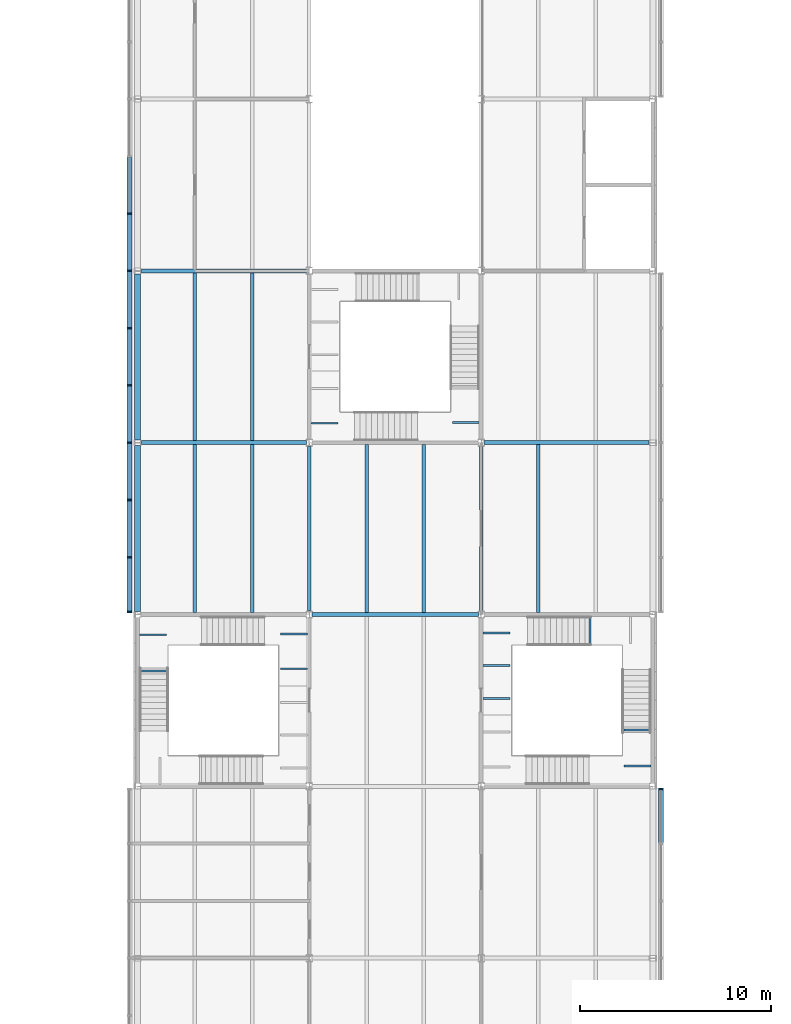
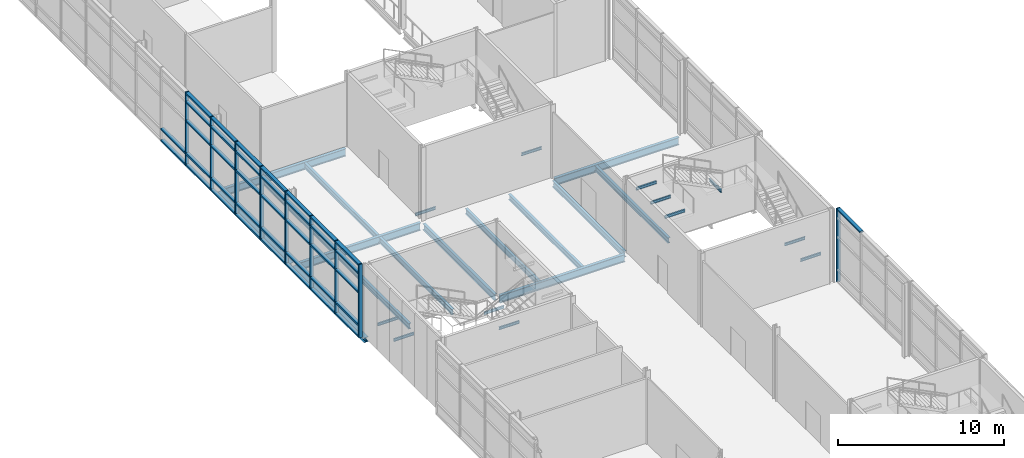
# One storey, part 11 of 53: 47 members, 27 beams, 2 elements without a shape of their own.
"""IFC4 building model written with IfcOpenShell, lengths in metres."""

from ifc_helpers import new_model, si_unit, direction, frame, origin, origin_2d, place, context, subcontext, project, spatial, rectangle, i_section, extrude, material, material_profile, profile_set, type_object, element, aggregate, save


model = new_model("IFC4")

# Units and contexts
model_context = context("Model", 3, precision=1e-05, world=origin(), true_north=direction((0.0, 1.0)))
body_context = subcontext(model_context, "Body", "Model", "MODEL_VIEW")
ifc_project = project(units=[si_unit("LENGTHUNIT", "METRE"), si_unit("AREAUNIT", "SQUARE_METRE"), si_unit("VOLUMEUNIT", "CUBIC_METRE"), si_unit("PLANEANGLEUNIT", "RADIAN"), si_unit("MASSUNIT", "GRAM", prefix="KILO")], contexts=[model_context])

# Site, building, storey
site_placement = place(None, origin())
site = spatial("IfcSite", under=ifc_project, at=site_placement, CompositionType="ELEMENT")
building_placement = place(site_placement, origin())
building = spatial("IfcBuilding", under=site, at=building_placement, Name="Azimuth Sports and Learning Centre", CompositionType="ELEMENT")
storey_placement = place(building_placement, frame((0.0, 0.0, 10.800048828125)))
storey = spatial("IfcBuildingStorey", under=building, at=storey_placement, Name="L02", CompositionType="ELEMENT", Elevation=10.800048828125)

# Beams
ifc_material_1 = material(Name="Steel S355", Category="steel")
ifc_material_profile_1 = material_profile(ifc_material_1, i_section(OverallWidth=0.10009765625, OverallDepth=0.199951171875, WebThickness=0.005615234375, FlangeThickness=0.008544921875, FilletRadius=0.011962890625, at=origin_2d()), Name="IPE 200")
ifc_profile_set_1 = profile_set([ifc_material_profile_1], Name="Steel S355")
beam_type_1 = type_object("IfcBeamType", Name="Beam IPE 200", PredefinedType="BEAM", material=ifc_profile_set_1)
for number, where, z_axis, x_axis, name in (
    (1, (80.89990234375, 33.159912109375, -0.300048828125), (-1.0, 0.0, 0.0), (0.0, -1.0, 0.0), "Landing bracket ST3 L02 1075"),
    (2, (80.89990234375, 34.97998046875, -0.300048828125), (-1.0, 0.0, 0.0), (0.0, -1.0, 0.0), "Landing bracket ST3 L02 1076"),
    (3, (72.10009765625, 33.0400390625, 1.5), (1.0, 0.0, 0.0), (0.0, 1.0, 0.0), "Landing bracket ST3 L02 1077"),
    (4, (72.10009765625, 34.93994140625, 1.5), (1.0, 0.0, 0.0), (0.0, 1.0, 0.0), "Landing bracket ST3 L02 1078"),
    (5, (98.89990234375, 28.06005859375, 1.5), (-1.0, 0.0, 0.0), (0.0, -1.0, 0.0), "Landing bracket ST4 L02 1111"),
    (6, (98.89990234375, 29.9599609375, 1.5), (-1.0, 0.0, 0.0), (0.0, -1.0, 0.0), "Landing bracket ST4 L02 1112"),
    (7, (95.702392578125, 35.89990234375, 3.300048828125), (0.0, -1.0, 0.0), (1.0, 0.0, 0.0), "Landing bracket ST4 L02 1113"),
    (8, (90.10009765625, 31.606689453125, 5.099853515625), (1.0, 0.0, 0.0), (0.0, 1.0, 0.0), "Landing bracket ST4 L02 1115"),
    (9, (90.10009765625, 33.320068359375, 5.099853515625), (1.0, 0.0, 0.0), (0.0, 1.0, 0.0), "Landing bracket ST4 L02 1116"),
    (10, (90.10009765625, 35.033447265625, 5.099853515625), (1.0, 0.0, 0.0), (0.0, 1.0, 0.0), "Landing bracket ST4 L02 1117"),
    (11, (81.10009765625, 46.02001953125, -0.300048828125), (1.0, 0.0, 0.0), (0.0, 1.0, 0.0), "Landing bracket STC L02 1143"),
    (12, (89.89990234375, 46.06005859375, 1.5), (-1.0, 0.0, 0.0), (0.0, -1.0, 0.0), "Landing bracket STC L02 1145"),
):
    element("IfcBeam", number, at=place(storey_placement, frame(where, z_axis=z_axis, x_axis=x_axis)), inside=storey, type_object=beam_type_1, Name=name, PredefinedType="BEAM", context=body_context, shape_type="SweptSolid", body=[
        extrude(i_section(OverallWidth=0.10009765625, OverallDepth=0.199951171875, WebThickness=0.005615234375, FlangeThickness=0.008544921875, FilletRadius=0.011962890625, at=origin_2d()), origin(), (0.0, 0.0, 1.0), 1.409912109375),
    ])
ifc_material_2 = material(Name="Steel S355", Category="steel")
ifc_material_profile_2 = material_profile(ifc_material_2, i_section(OverallWidth=0.18994140625, OverallDepth=0.449951171875, WebThickness=0.009521484375, FlangeThickness=0.0146484375, FilletRadius=0.02099609375, at=origin_2d()), Name="IPE 450")
ifc_profile_set_2 = profile_set([ifc_material_profile_2], Name="Steel S355")
beam_type_2 = type_object("IfcBeamType", Name="Beam IPE 450", PredefinedType="BEAM", material=ifc_profile_set_2)
for number, where, z_axis, x_axis, name in (
    (13, (81.0, 36.199951171875, -0.375), (0.0, 1.0, 0.0), (-1.0, 0.0, 0.0), "Beam L02 ST 31"),
    (14, (90.0, 36.199951171875, -0.375), (0.0, 1.0, 0.0), (-1.0, 0.0, 0.0), "Beam L02 ST 37"),
):
    element("IfcBeam", number, at=place(storey_placement, frame(where, z_axis=z_axis, x_axis=x_axis)), inside=storey, type_object=beam_type_2, Name=name, PredefinedType="BEAM", context=body_context, shape_type="SweptSolid", body=[
        extrude(i_section(OverallWidth=0.18994140625, OverallDepth=0.449951171875, WebThickness=0.009521484375, FlangeThickness=0.0146484375, FilletRadius=0.02099609375, at=origin_2d()), origin(), (0.0, 0.0, 1.0), 8.60009765625),
    ])
ifc_material_3 = material(Name="Steel S355", Category="steel")
ifc_material_profile_3 = material_profile(ifc_material_3, i_section(OverallWidth=0.2099609375, OverallDepth=0.550048828125, WebThickness=0.010986328125, FlangeThickness=0.01708984375, FilletRadius=0.02392578125, at=origin_2d()), Name="IPE 550")
ifc_profile_set_3 = profile_set([ifc_material_profile_3], Name="Steel S355")
beam_type_3 = type_object("IfcBeamType", Name="Beam IPE 550", PredefinedType="BEAM", material=ifc_profile_set_3)
beam_1_placement = place(storey_placement, frame((81.14990234375, 36.0, -0.425048828125), z_axis=(1.0, 0.0, 0.0), x_axis=(0.0, 1.0, 0.0)))
element("IfcBeam", 15, at=beam_1_placement, inside=storey, type_object=beam_type_3, Name="Beam L02 ST 7", PredefinedType="BEAM", context=body_context, shape_type="SweptSolid", body=[
    extrude(i_section(OverallWidth=0.2099609375, OverallDepth=0.550048828125, WebThickness=0.010986328125, FlangeThickness=0.01708984375, FilletRadius=0.02392578125, at=origin_2d()), origin(), (0.0, 0.0, 1.0), 8.7001953125),
])
for number, where, z_axis, x_axis, name in (
    (16, (72.199951171875, 45.0, -0.425048828125), (1.0, 0.0, 0.0), (0.0, 1.0, 0.0), "Beam L02 ST 8"),
    (17, (90.14990234375, 45.0, -0.425048828125), (1.0, 0.0, 0.0), (0.0, 1.0, 0.0), "Beam L02 ST 9"),
    (18, (72.199951171875, 54.0, -0.425048828125), (1.0, 0.0, 0.0), (0.0, 1.0, 0.0), "Beam L02 ST 10"),
):
    element("IfcBeam", number, at=place(storey_placement, frame(where, z_axis=z_axis, x_axis=x_axis)), inside=storey, type_object=beam_type_3, Name=name, PredefinedType="BEAM", context=body_context, shape_type="SweptSolid", body=[
        extrude(i_section(OverallWidth=0.2099609375, OverallDepth=0.550048828125, WebThickness=0.010986328125, FlangeThickness=0.01708984375, FilletRadius=0.02392578125, at=origin_2d()), origin(), (0.0, 0.0, 1.0), 8.650146484375),
    ])
ifc_material_4 = material(Name="Steel S355", Category="steel")
ifc_material_profile_4 = material_profile(ifc_material_4, i_section(OverallWidth=0.300048828125, OverallDepth=0.35009765625, WebThickness=0.010009765625, FlangeThickness=0.017578125, FilletRadius=0.027099609375, at=origin_2d()), Name="HEA 360")
ifc_profile_set_4 = profile_set([ifc_material_profile_4], Name="Steel S355")
beam_type_4 = type_object("IfcBeamType", Name="Edge beam HEA 360", PredefinedType="SPANDREL", material=ifc_profile_set_4)
for number, where, z_axis, x_axis, name in (
    (19, (72.0, 36.14990234375, -0.324951171875), (0.0, 1.0, 0.0), (-1.0, 0.0, 0.0), "Edge beam L02 ST 23"),
    (20, (72.0, 45.14990234375, -0.324951171875), (0.0, 1.0, 0.0), (-1.0, 0.0, 0.0), "Edge beam L02 ST 24"),
):
    element("IfcBeam", number, at=place(storey_placement, frame(where, z_axis=z_axis, x_axis=x_axis)), inside=storey, type_object=beam_type_4, Name=name, PredefinedType="SPANDREL", context=body_context, shape_type="SweptSolid", body=[
        extrude(i_section(OverallWidth=0.300048828125, OverallDepth=0.35009765625, WebThickness=0.010009765625, FlangeThickness=0.017578125, FilletRadius=0.027099609375, at=origin_2d()), origin(), (0.0, 0.0, 1.0), 8.7001953125),
    ])
ifc_material_5 = material(Name="Steel S355", Category="steel")
ifc_material_profile_5 = material_profile(ifc_material_5, i_section(OverallWidth=0.179931640625, OverallDepth=0.39990234375, WebThickness=0.008544921875, FlangeThickness=0.013427734375, FilletRadius=0.02099609375, at=origin_2d()), Name="IPE 400")
ifc_profile_set_5 = profile_set([ifc_material_profile_5], Name="Steel S355")
beam_type_5 = type_object("IfcBeamType", Name="Joist IPE 400", PredefinedType="JOIST", material=ifc_profile_set_5)
beam_2_placement = place(storey_placement, frame((75.0, 36.10009765625, -0.35009765625), z_axis=(0.0, 1.0, 0.0), x_axis=(-1.0, 0.0, 0.0)))
element("IfcBeam", 21, at=beam_2_placement, inside=storey, type_object=beam_type_5, Name="Joist L02 ST 50", PredefinedType="JOIST", context=body_context, shape_type="SweptSolid", body=[
    extrude(i_section(OverallWidth=0.179931640625, OverallDepth=0.39990234375, WebThickness=0.008544921875, FlangeThickness=0.013427734375, FilletRadius=0.02099609375, at=origin_2d()), origin(), (0.0, 0.0, 1.0), 8.794921875),
])
beam_3_placement = place(storey_placement, frame((75.0, 45.10498046875, -0.35009765625), z_axis=(0.0, 1.0, 0.0), x_axis=(-1.0, 0.0, 0.0)))
element("IfcBeam", 22, at=beam_3_placement, inside=storey, type_object=beam_type_5, Name="Joist L02 ST 51", PredefinedType="JOIST", context=body_context, shape_type="SweptSolid", body=[
    extrude(i_section(OverallWidth=0.179931640625, OverallDepth=0.39990234375, WebThickness=0.008544921875, FlangeThickness=0.013427734375, FilletRadius=0.02099609375, at=origin_2d()), origin(), (0.0, 0.0, 1.0), 8.7900390625),
])
beam_4_placement = place(storey_placement, frame((78.0, 36.10009765625, -0.35009765625), z_axis=(0.0, 1.0, 0.0), x_axis=(-1.0, 0.0, 0.0)))
element("IfcBeam", 23, at=beam_4_placement, inside=storey, type_object=beam_type_5, Name="Joist L02 ST 58", PredefinedType="JOIST", context=body_context, shape_type="SweptSolid", body=[
    extrude(i_section(OverallWidth=0.179931640625, OverallDepth=0.39990234375, WebThickness=0.008544921875, FlangeThickness=0.013427734375, FilletRadius=0.02099609375, at=origin_2d()), origin(), (0.0, 0.0, 1.0), 8.794921875),
])
beam_5_placement = place(storey_placement, frame((78.0, 45.10498046875, -0.35009765625), z_axis=(0.0, 1.0, 0.0), x_axis=(-1.0, 0.0, 0.0)))
element("IfcBeam", 24, at=beam_5_placement, inside=storey, type_object=beam_type_5, Name="Joist L02 ST 59", PredefinedType="JOIST", context=body_context, shape_type="SweptSolid", body=[
    extrude(i_section(OverallWidth=0.179931640625, OverallDepth=0.39990234375, WebThickness=0.008544921875, FlangeThickness=0.013427734375, FilletRadius=0.02099609375, at=origin_2d()), origin(), (0.0, 0.0, 1.0), 8.7900390625),
])
for number, where, z_axis, x_axis, name in (
    (25, (84.0, 36.10498046875, -0.35009765625), (0.0, 1.0, 0.0), (-1.0, 0.0, 0.0), "Joist L02 ST 68"),
    (26, (87.0, 36.10498046875, -0.35009765625), (0.0, 1.0, 0.0), (-1.0, 0.0, 0.0), "Joist L02 ST 74"),
    (27, (93.0, 36.10009765625, -0.35009765625), (0.0, 1.0, 0.0), (-1.0, 0.0, 0.0), "Joist L02 ST 78"),
):
    element("IfcBeam", number, at=place(storey_placement, frame(where, z_axis=z_axis, x_axis=x_axis)), inside=storey, type_object=beam_type_5, Name=name, PredefinedType="JOIST", context=body_context, shape_type="SweptSolid", body=[
        extrude(i_section(OverallWidth=0.179931640625, OverallDepth=0.39990234375, WebThickness=0.008544921875, FlangeThickness=0.013427734375, FilletRadius=0.02099609375, at=origin_2d()), origin(), (0.0, 0.0, 1.0), 8.794921875),
    ])

# Curtain wall, members
ifc_material_6 = material(Name="Aluminium and glass", Category="aluminium")
curtain_wall_type = type_object("IfcCurtainWallType", Name="Curtain wall podium stem 240", PredefinedType="NOTDEFINED", material=ifc_material_6)
curtain_wall_1_placement = place(storey_placement, origin())
curtain_wall_1 = element("IfcCurtainWall", 28, at=curtain_wall_1_placement, inside=storey, type_object=curtain_wall_type, Name="Curtain wall CW02-003", PredefinedType="NOTDEFINED")
ifc_material_7 = material(Name="Aluminium", Category="aluminium")
ifc_material_profile_6 = material_profile(ifc_material_7, rectangle(XDim=0.239990234375, YDim=0.080078125, at=origin_2d()), Name="Mullion 80x240")
ifc_profile_set_6 = profile_set([ifc_material_profile_6], Name="Aluminium")
member_type_1 = type_object("IfcMemberType", Name="Mullion 80x240", PredefinedType="MULLION", material=ifc_profile_set_6)
member_1_placement = place(storey_placement, frame((71.580078125, 57.0, 0.0), z_axis=(0.0, 0.0, 1.0), x_axis=(1.0, 0.0, 0.0)))
member_1 = element("IfcMember", 29, at=member_1_placement, type_object=member_type_1, Name="CW02-003 mullion 12", PredefinedType="MULLION", context=body_context, shape_type="SweptSolid", body=[
    extrude(rectangle(XDim=0.239990234375, YDim=0.080078125, at=origin_2d()), origin(), (0.0, 0.0, 1.0), 5.39990234375),
])
member_2_placement = place(storey_placement, frame((71.580078125, 54.0, 0.0), z_axis=(0.0, 0.0, 1.0), x_axis=(1.0, 0.0, 0.0)))
member_2 = element("IfcMember", 30, at=member_2_placement, type_object=member_type_1, Name="CW02-003 mullion 13", PredefinedType="MULLION", context=body_context, shape_type="SweptSolid", body=[
    extrude(rectangle(XDim=0.239990234375, YDim=0.080078125, at=origin_2d()), origin(), (0.0, 0.0, 1.0), 5.39990234375),
])
member_3_placement = place(storey_placement, frame((71.580078125, 51.0, 0.0), z_axis=(0.0, 0.0, 1.0), x_axis=(1.0, 0.0, 0.0)))
member_3 = element("IfcMember", 31, at=member_3_placement, type_object=member_type_1, Name="CW02-003 mullion 14", PredefinedType="MULLION", context=body_context, shape_type="SweptSolid", body=[
    extrude(rectangle(XDim=0.239990234375, YDim=0.080078125, at=origin_2d()), origin(), (0.0, 0.0, 1.0), 5.39990234375),
])
member_4_placement = place(storey_placement, frame((71.580078125, 48.0, 0.0), z_axis=(0.0, 0.0, 1.0), x_axis=(1.0, 0.0, 0.0)))
member_4 = element("IfcMember", 32, at=member_4_placement, type_object=member_type_1, Name="CW02-003 mullion 15", PredefinedType="MULLION", context=body_context, shape_type="SweptSolid", body=[
    extrude(rectangle(XDim=0.239990234375, YDim=0.080078125, at=origin_2d()), origin(), (0.0, 0.0, 1.0), 5.39990234375),
])
member_5_placement = place(storey_placement, frame((71.580078125, 45.0, 0.0), z_axis=(0.0, 0.0, 1.0), x_axis=(1.0, 0.0, 0.0)))
member_5 = element("IfcMember", 33, at=member_5_placement, type_object=member_type_1, Name="CW02-003 mullion 16", PredefinedType="MULLION", context=body_context, shape_type="SweptSolid", body=[
    extrude(rectangle(XDim=0.239990234375, YDim=0.080078125, at=origin_2d()), origin(), (0.0, 0.0, 1.0), 5.39990234375),
])
member_6_placement = place(storey_placement, frame((71.580078125, 42.0, 0.0), z_axis=(0.0, 0.0, 1.0), x_axis=(1.0, 0.0, 0.0)))
member_6 = element("IfcMember", 34, at=member_6_placement, type_object=member_type_1, Name="CW02-003 mullion 17", PredefinedType="MULLION", context=body_context, shape_type="SweptSolid", body=[
    extrude(rectangle(XDim=0.239990234375, YDim=0.080078125, at=origin_2d()), origin(), (0.0, 0.0, 1.0), 5.39990234375),
])
member_7_placement = place(storey_placement, frame((71.580078125, 39.0, 0.0), z_axis=(0.0, 0.0, 1.0), x_axis=(1.0, 0.0, 0.0)))
member_7 = element("IfcMember", 35, at=member_7_placement, type_object=member_type_1, Name="CW02-003 mullion 18", PredefinedType="MULLION", context=body_context, shape_type="SweptSolid", body=[
    extrude(rectangle(XDim=0.239990234375, YDim=0.080078125, at=origin_2d()), origin(), (0.0, 0.0, 1.0), 5.39990234375),
])
member_8_placement = place(storey_placement, frame((71.580078125, 36.139892578125, 0.0), z_axis=(0.0, 0.0, 1.0), x_axis=(1.0, 0.0, 0.0)))
member_8 = element("IfcMember", 36, at=member_8_placement, type_object=member_type_1, Name="CW02-003 mullion 19", PredefinedType="MULLION", context=body_context, shape_type="SweptSolid", body=[
    extrude(rectangle(XDim=0.239990234375, YDim=0.080078125, at=origin_2d()), origin(), (0.0, 0.0, 1.0), 5.39990234375),
])

# Curtain wall, member
curtain_wall_2_placement = place(storey_placement, origin())
curtain_wall_2 = element("IfcCurtainWall", 37, at=curtain_wall_2_placement, inside=storey, type_object=curtain_wall_type, Name="Curtain wall CW02-006", PredefinedType="NOTDEFINED")
member_9_placement = place(storey_placement, frame((99.419921875, 26.860107421875, 0.0), z_axis=(0.0, 0.0, 1.0), x_axis=(-1.0, 0.0, 0.0)))
member_9 = element("IfcMember", 38, at=member_9_placement, type_object=member_type_1, Name="CW02-006 mullion 7", PredefinedType="MULLION", context=body_context, shape_type="SweptSolid", body=[
    extrude(rectangle(XDim=0.239990234375, YDim=0.080078125, at=origin_2d()), origin(), (0.0, 0.0, 1.0), 5.39990234375),
])

# Member
ifc_material_8 = material(Name="Aluminium", Category="aluminium")
ifc_material_profile_7 = material_profile(ifc_material_8, rectangle(XDim=0.239990234375, YDim=0.1201171875, at=origin_2d()), Name="Transom 120x240")
ifc_profile_set_7 = profile_set([ifc_material_profile_7], Name="Aluminium")
member_type_2 = type_object("IfcMemberType", Name="Transom 120x240", PredefinedType="USERDEFINED", material=ifc_profile_set_7)
member_10_placement = place(storey_placement, frame((71.580078125, 59.9599609375, 0.06005859375), z_axis=(0.0, -1.0, 0.0), x_axis=(1.0, 0.0, 0.0)))
member_10 = element("IfcMember", 39, at=member_10_placement, type_object=member_type_2, Name="CW02-003 transom 11.1", ObjectType="TRANSOM", PredefinedType="USERDEFINED", context=body_context, shape_type="SweptSolid", body=[
    extrude(rectangle(XDim=0.239990234375, YDim=0.1201171875, at=origin_2d()), origin(), (0.0, 0.0, 1.0), 2.919921875),
])

member_11_placement = place(storey_placement, frame((71.580078125, 59.9599609375, 0.89990234375), z_axis=(0.0, -1.0, 0.0), x_axis=(1.0, 0.0, 0.0)))
member_11 = element("IfcMember", 40, at=member_11_placement, type_object=member_type_2, Name="CW02-003 transom 11.2", ObjectType="TRANSOM", PredefinedType="USERDEFINED", context=body_context, shape_type="SweptSolid", body=[
    extrude(rectangle(XDim=0.239990234375, YDim=0.1201171875, at=origin_2d()), origin(), (0.0, 0.0, 1.0), 2.919921875),
])

member_12_placement = place(storey_placement, frame((71.580078125, 56.9599609375, 0.06005859375), z_axis=(0.0, -1.0, 0.0), x_axis=(1.0, 0.0, 0.0)))
member_12 = element("IfcMember", 41, at=member_12_placement, type_object=member_type_2, Name="CW02-003 transom 12.1", ObjectType="TRANSOM", PredefinedType="USERDEFINED", context=body_context, shape_type="SweptSolid", body=[
    extrude(rectangle(XDim=0.239990234375, YDim=0.1201171875, at=origin_2d()), origin(), (0.0, 0.0, 1.0), 2.919921875),
])

member_13_placement = place(storey_placement, frame((71.580078125, 56.9599609375, 0.89990234375), z_axis=(0.0, -1.0, 0.0), x_axis=(1.0, 0.0, 0.0)))
member_13 = element("IfcMember", 42, at=member_13_placement, type_object=member_type_2, Name="CW02-003 transom 12.2", ObjectType="TRANSOM", PredefinedType="USERDEFINED", context=body_context, shape_type="SweptSolid", body=[
    extrude(rectangle(XDim=0.239990234375, YDim=0.1201171875, at=origin_2d()), origin(), (0.0, 0.0, 1.0), 2.919921875),
])

member_14_placement = place(storey_placement, frame((71.580078125, 56.9599609375, 3.300048828125), z_axis=(0.0, -1.0, 0.0), x_axis=(1.0, 0.0, 0.0)))
member_14 = element("IfcMember", 43, at=member_14_placement, type_object=member_type_2, Name="CW02-003 transom 12.3", ObjectType="TRANSOM", PredefinedType="USERDEFINED", context=body_context, shape_type="SweptSolid", body=[
    extrude(rectangle(XDim=0.239990234375, YDim=0.1201171875, at=origin_2d()), origin(), (0.0, 0.0, 1.0), 2.919921875),
])

member_15_placement = place(storey_placement, frame((71.580078125, 56.9599609375, 4.699951171875), z_axis=(0.0, -1.0, 0.0), x_axis=(1.0, 0.0, 0.0)))
member_15 = element("IfcMember", 44, at=member_15_placement, type_object=member_type_2, Name="CW02-003 transom 12.4", ObjectType="TRANSOM", PredefinedType="USERDEFINED", context=body_context, shape_type="SweptSolid", body=[
    extrude(rectangle(XDim=0.239990234375, YDim=0.1201171875, at=origin_2d()), origin(), (0.0, 0.0, 1.0), 2.919921875),
])

member_16_placement = place(storey_placement, frame((71.580078125, 56.9599609375, 5.33984375), z_axis=(0.0, -1.0, 0.0), x_axis=(1.0, 0.0, 0.0)))
member_16 = element("IfcMember", 45, at=member_16_placement, type_object=member_type_2, Name="CW02-003 transom 12.5", ObjectType="TRANSOM", PredefinedType="USERDEFINED", context=body_context, shape_type="SweptSolid", body=[
    extrude(rectangle(XDim=0.239990234375, YDim=0.1201171875, at=origin_2d()), origin(), (0.0, 0.0, 1.0), 2.919921875),
])

member_17_placement = place(storey_placement, frame((71.580078125, 53.9599609375, 0.06005859375), z_axis=(0.0, -1.0, 0.0), x_axis=(1.0, 0.0, 0.0)))
member_17 = element("IfcMember", 46, at=member_17_placement, type_object=member_type_2, Name="CW02-003 transom 13.1", ObjectType="TRANSOM", PredefinedType="USERDEFINED", context=body_context, shape_type="SweptSolid", body=[
    extrude(rectangle(XDim=0.239990234375, YDim=0.1201171875, at=origin_2d()), origin(), (0.0, 0.0, 1.0), 2.919921875),
])

member_18_placement = place(storey_placement, frame((71.580078125, 53.9599609375, 0.89990234375), z_axis=(0.0, -1.0, 0.0), x_axis=(1.0, 0.0, 0.0)))
member_18 = element("IfcMember", 47, at=member_18_placement, type_object=member_type_2, Name="CW02-003 transom 13.2", ObjectType="TRANSOM", PredefinedType="USERDEFINED", context=body_context, shape_type="SweptSolid", body=[
    extrude(rectangle(XDim=0.239990234375, YDim=0.1201171875, at=origin_2d()), origin(), (0.0, 0.0, 1.0), 2.919921875),
])

member_19_placement = place(storey_placement, frame((71.580078125, 53.9599609375, 3.300048828125), z_axis=(0.0, -1.0, 0.0), x_axis=(1.0, 0.0, 0.0)))
member_19 = element("IfcMember", 48, at=member_19_placement, type_object=member_type_2, Name="CW02-003 transom 13.3", ObjectType="TRANSOM", PredefinedType="USERDEFINED", context=body_context, shape_type="SweptSolid", body=[
    extrude(rectangle(XDim=0.239990234375, YDim=0.1201171875, at=origin_2d()), origin(), (0.0, 0.0, 1.0), 2.919921875),
])

member_20_placement = place(storey_placement, frame((71.580078125, 53.9599609375, 4.699951171875), z_axis=(0.0, -1.0, 0.0), x_axis=(1.0, 0.0, 0.0)))
member_20 = element("IfcMember", 49, at=member_20_placement, type_object=member_type_2, Name="CW02-003 transom 13.4", ObjectType="TRANSOM", PredefinedType="USERDEFINED", context=body_context, shape_type="SweptSolid", body=[
    extrude(rectangle(XDim=0.239990234375, YDim=0.1201171875, at=origin_2d()), origin(), (0.0, 0.0, 1.0), 2.919921875),
])

member_21_placement = place(storey_placement, frame((71.580078125, 53.9599609375, 5.33984375), z_axis=(0.0, -1.0, 0.0), x_axis=(1.0, 0.0, 0.0)))
member_21 = element("IfcMember", 50, at=member_21_placement, type_object=member_type_2, Name="CW02-003 transom 13.5", ObjectType="TRANSOM", PredefinedType="USERDEFINED", context=body_context, shape_type="SweptSolid", body=[
    extrude(rectangle(XDim=0.239990234375, YDim=0.1201171875, at=origin_2d()), origin(), (0.0, 0.0, 1.0), 2.919921875),
])

member_22_placement = place(storey_placement, frame((71.580078125, 50.9599609375, 0.06005859375), z_axis=(0.0, -1.0, 0.0), x_axis=(1.0, 0.0, 0.0)))
member_22 = element("IfcMember", 51, at=member_22_placement, type_object=member_type_2, Name="CW02-003 transom 14.1", ObjectType="TRANSOM", PredefinedType="USERDEFINED", context=body_context, shape_type="SweptSolid", body=[
    extrude(rectangle(XDim=0.239990234375, YDim=0.1201171875, at=origin_2d()), origin(), (0.0, 0.0, 1.0), 2.919921875),
])

member_23_placement = place(storey_placement, frame((71.580078125, 50.9599609375, 0.89990234375), z_axis=(0.0, -1.0, 0.0), x_axis=(1.0, 0.0, 0.0)))
member_23 = element("IfcMember", 52, at=member_23_placement, type_object=member_type_2, Name="CW02-003 transom 14.2", ObjectType="TRANSOM", PredefinedType="USERDEFINED", context=body_context, shape_type="SweptSolid", body=[
    extrude(rectangle(XDim=0.239990234375, YDim=0.1201171875, at=origin_2d()), origin(), (0.0, 0.0, 1.0), 2.919921875),
])

member_24_placement = place(storey_placement, frame((71.580078125, 50.9599609375, 3.300048828125), z_axis=(0.0, -1.0, 0.0), x_axis=(1.0, 0.0, 0.0)))
member_24 = element("IfcMember", 53, at=member_24_placement, type_object=member_type_2, Name="CW02-003 transom 14.3", ObjectType="TRANSOM", PredefinedType="USERDEFINED", context=body_context, shape_type="SweptSolid", body=[
    extrude(rectangle(XDim=0.239990234375, YDim=0.1201171875, at=origin_2d()), origin(), (0.0, 0.0, 1.0), 2.919921875),
])

member_25_placement = place(storey_placement, frame((71.580078125, 50.9599609375, 4.699951171875), z_axis=(0.0, -1.0, 0.0), x_axis=(1.0, 0.0, 0.0)))
member_25 = element("IfcMember", 54, at=member_25_placement, type_object=member_type_2, Name="CW02-003 transom 14.4", ObjectType="TRANSOM", PredefinedType="USERDEFINED", context=body_context, shape_type="SweptSolid", body=[
    extrude(rectangle(XDim=0.239990234375, YDim=0.1201171875, at=origin_2d()), origin(), (0.0, 0.0, 1.0), 2.919921875),
])

member_26_placement = place(storey_placement, frame((71.580078125, 50.9599609375, 5.33984375), z_axis=(0.0, -1.0, 0.0), x_axis=(1.0, 0.0, 0.0)))
member_26 = element("IfcMember", 55, at=member_26_placement, type_object=member_type_2, Name="CW02-003 transom 14.5", ObjectType="TRANSOM", PredefinedType="USERDEFINED", context=body_context, shape_type="SweptSolid", body=[
    extrude(rectangle(XDim=0.239990234375, YDim=0.1201171875, at=origin_2d()), origin(), (0.0, 0.0, 1.0), 2.919921875),
])

member_27_placement = place(storey_placement, frame((71.580078125, 47.9599609375, 0.06005859375), z_axis=(0.0, -1.0, 0.0), x_axis=(1.0, 0.0, 0.0)))
member_27 = element("IfcMember", 56, at=member_27_placement, type_object=member_type_2, Name="CW02-003 transom 15.1", ObjectType="TRANSOM", PredefinedType="USERDEFINED", context=body_context, shape_type="SweptSolid", body=[
    extrude(rectangle(XDim=0.239990234375, YDim=0.1201171875, at=origin_2d()), origin(), (0.0, 0.0, 1.0), 2.919921875),
])

member_28_placement = place(storey_placement, frame((71.580078125, 47.9599609375, 0.89990234375), z_axis=(0.0, -1.0, 0.0), x_axis=(1.0, 0.0, 0.0)))
member_28 = element("IfcMember", 57, at=member_28_placement, type_object=member_type_2, Name="CW02-003 transom 15.2", ObjectType="TRANSOM", PredefinedType="USERDEFINED", context=body_context, shape_type="SweptSolid", body=[
    extrude(rectangle(XDim=0.239990234375, YDim=0.1201171875, at=origin_2d()), origin(), (0.0, 0.0, 1.0), 2.919921875),
])

member_29_placement = place(storey_placement, frame((71.580078125, 47.9599609375, 3.300048828125), z_axis=(0.0, -1.0, 0.0), x_axis=(1.0, 0.0, 0.0)))
member_29 = element("IfcMember", 58, at=member_29_placement, type_object=member_type_2, Name="CW02-003 transom 15.3", ObjectType="TRANSOM", PredefinedType="USERDEFINED", context=body_context, shape_type="SweptSolid", body=[
    extrude(rectangle(XDim=0.239990234375, YDim=0.1201171875, at=origin_2d()), origin(), (0.0, 0.0, 1.0), 2.919921875),
])

member_30_placement = place(storey_placement, frame((71.580078125, 47.9599609375, 4.699951171875), z_axis=(0.0, -1.0, 0.0), x_axis=(1.0, 0.0, 0.0)))
member_30 = element("IfcMember", 59, at=member_30_placement, type_object=member_type_2, Name="CW02-003 transom 15.4", ObjectType="TRANSOM", PredefinedType="USERDEFINED", context=body_context, shape_type="SweptSolid", body=[
    extrude(rectangle(XDim=0.239990234375, YDim=0.1201171875, at=origin_2d()), origin(), (0.0, 0.0, 1.0), 2.919921875),
])

member_31_placement = place(storey_placement, frame((71.580078125, 47.9599609375, 5.33984375), z_axis=(0.0, -1.0, 0.0), x_axis=(1.0, 0.0, 0.0)))
member_31 = element("IfcMember", 60, at=member_31_placement, type_object=member_type_2, Name="CW02-003 transom 15.5", ObjectType="TRANSOM", PredefinedType="USERDEFINED", context=body_context, shape_type="SweptSolid", body=[
    extrude(rectangle(XDim=0.239990234375, YDim=0.1201171875, at=origin_2d()), origin(), (0.0, 0.0, 1.0), 2.919921875),
])

member_32_placement = place(storey_placement, frame((71.580078125, 44.9599609375, 0.06005859375), z_axis=(0.0, -1.0, 0.0), x_axis=(1.0, 0.0, 0.0)))
member_32 = element("IfcMember", 61, at=member_32_placement, type_object=member_type_2, Name="CW02-003 transom 16.1", ObjectType="TRANSOM", PredefinedType="USERDEFINED", context=body_context, shape_type="SweptSolid", body=[
    extrude(rectangle(XDim=0.239990234375, YDim=0.1201171875, at=origin_2d()), origin(), (0.0, 0.0, 1.0), 2.919921875),
])

member_33_placement = place(storey_placement, frame((71.580078125, 44.9599609375, 0.89990234375), z_axis=(0.0, -1.0, 0.0), x_axis=(1.0, 0.0, 0.0)))
member_33 = element("IfcMember", 62, at=member_33_placement, type_object=member_type_2, Name="CW02-003 transom 16.2", ObjectType="TRANSOM", PredefinedType="USERDEFINED", context=body_context, shape_type="SweptSolid", body=[
    extrude(rectangle(XDim=0.239990234375, YDim=0.1201171875, at=origin_2d()), origin(), (0.0, 0.0, 1.0), 2.919921875),
])

member_34_placement = place(storey_placement, frame((71.580078125, 44.9599609375, 3.300048828125), z_axis=(0.0, -1.0, 0.0), x_axis=(1.0, 0.0, 0.0)))
member_34 = element("IfcMember", 63, at=member_34_placement, type_object=member_type_2, Name="CW02-003 transom 16.3", ObjectType="TRANSOM", PredefinedType="USERDEFINED", context=body_context, shape_type="SweptSolid", body=[
    extrude(rectangle(XDim=0.239990234375, YDim=0.1201171875, at=origin_2d()), origin(), (0.0, 0.0, 1.0), 2.919921875),
])

member_35_placement = place(storey_placement, frame((71.580078125, 44.9599609375, 4.699951171875), z_axis=(0.0, -1.0, 0.0), x_axis=(1.0, 0.0, 0.0)))
member_35 = element("IfcMember", 64, at=member_35_placement, type_object=member_type_2, Name="CW02-003 transom 16.4", ObjectType="TRANSOM", PredefinedType="USERDEFINED", context=body_context, shape_type="SweptSolid", body=[
    extrude(rectangle(XDim=0.239990234375, YDim=0.1201171875, at=origin_2d()), origin(), (0.0, 0.0, 1.0), 2.919921875),
])

member_36_placement = place(storey_placement, frame((71.580078125, 44.9599609375, 5.33984375), z_axis=(0.0, -1.0, 0.0), x_axis=(1.0, 0.0, 0.0)))
member_36 = element("IfcMember", 65, at=member_36_placement, type_object=member_type_2, Name="CW02-003 transom 16.5", ObjectType="TRANSOM", PredefinedType="USERDEFINED", context=body_context, shape_type="SweptSolid", body=[
    extrude(rectangle(XDim=0.239990234375, YDim=0.1201171875, at=origin_2d()), origin(), (0.0, 0.0, 1.0), 2.919921875),
])

member_37_placement = place(storey_placement, frame((71.580078125, 41.9599609375, 0.06005859375), z_axis=(0.0, -1.0, 0.0), x_axis=(1.0, 0.0, 0.0)))
member_37 = element("IfcMember", 66, at=member_37_placement, type_object=member_type_2, Name="CW02-003 transom 17.1", ObjectType="TRANSOM", PredefinedType="USERDEFINED", context=body_context, shape_type="SweptSolid", body=[
    extrude(rectangle(XDim=0.239990234375, YDim=0.1201171875, at=origin_2d()), origin(), (0.0, 0.0, 1.0), 2.919921875),
])

member_38_placement = place(storey_placement, frame((71.580078125, 41.9599609375, 0.89990234375), z_axis=(0.0, -1.0, 0.0), x_axis=(1.0, 0.0, 0.0)))
member_38 = element("IfcMember", 67, at=member_38_placement, type_object=member_type_2, Name="CW02-003 transom 17.2", ObjectType="TRANSOM", PredefinedType="USERDEFINED", context=body_context, shape_type="SweptSolid", body=[
    extrude(rectangle(XDim=0.239990234375, YDim=0.1201171875, at=origin_2d()), origin(), (0.0, 0.0, 1.0), 2.919921875),
])

member_39_placement = place(storey_placement, frame((71.580078125, 41.9599609375, 3.300048828125), z_axis=(0.0, -1.0, 0.0), x_axis=(1.0, 0.0, 0.0)))
member_39 = element("IfcMember", 68, at=member_39_placement, type_object=member_type_2, Name="CW02-003 transom 17.3", ObjectType="TRANSOM", PredefinedType="USERDEFINED", context=body_context, shape_type="SweptSolid", body=[
    extrude(rectangle(XDim=0.239990234375, YDim=0.1201171875, at=origin_2d()), origin(), (0.0, 0.0, 1.0), 2.919921875),
])

member_40_placement = place(storey_placement, frame((71.580078125, 41.9599609375, 4.699951171875), z_axis=(0.0, -1.0, 0.0), x_axis=(1.0, 0.0, 0.0)))
member_40 = element("IfcMember", 69, at=member_40_placement, type_object=member_type_2, Name="CW02-003 transom 17.4", ObjectType="TRANSOM", PredefinedType="USERDEFINED", context=body_context, shape_type="SweptSolid", body=[
    extrude(rectangle(XDim=0.239990234375, YDim=0.1201171875, at=origin_2d()), origin(), (0.0, 0.0, 1.0), 2.919921875),
])

member_41_placement = place(storey_placement, frame((71.580078125, 41.9599609375, 5.33984375), z_axis=(0.0, -1.0, 0.0), x_axis=(1.0, 0.0, 0.0)))
member_41 = element("IfcMember", 70, at=member_41_placement, type_object=member_type_2, Name="CW02-003 transom 17.5", ObjectType="TRANSOM", PredefinedType="USERDEFINED", context=body_context, shape_type="SweptSolid", body=[
    extrude(rectangle(XDim=0.239990234375, YDim=0.1201171875, at=origin_2d()), origin(), (0.0, 0.0, 1.0), 2.919921875),
])

member_42_placement = place(storey_placement, frame((71.580078125, 38.9599609375, 0.06005859375), z_axis=(0.0, -1.0, 0.0), x_axis=(1.0, 0.0, 0.0)))
member_42 = element("IfcMember", 71, at=member_42_placement, type_object=member_type_2, Name="CW02-003 transom 18.1", ObjectType="TRANSOM", PredefinedType="USERDEFINED", context=body_context, shape_type="SweptSolid", body=[
    extrude(rectangle(XDim=0.239990234375, YDim=0.1201171875, at=origin_2d()), origin(), (0.0, 0.0, 1.0), 2.780029296875),
])

member_43_placement = place(storey_placement, frame((71.580078125, 38.9599609375, 0.89990234375), z_axis=(0.0, -1.0, 0.0), x_axis=(1.0, 0.0, 0.0)))
member_43 = element("IfcMember", 72, at=member_43_placement, type_object=member_type_2, Name="CW02-003 transom 18.2", ObjectType="TRANSOM", PredefinedType="USERDEFINED", context=body_context, shape_type="SweptSolid", body=[
    extrude(rectangle(XDim=0.239990234375, YDim=0.1201171875, at=origin_2d()), origin(), (0.0, 0.0, 1.0), 2.780029296875),
])

member_44_placement = place(storey_placement, frame((71.580078125, 38.9599609375, 3.300048828125), z_axis=(0.0, -1.0, 0.0), x_axis=(1.0, 0.0, 0.0)))
member_44 = element("IfcMember", 73, at=member_44_placement, type_object=member_type_2, Name="CW02-003 transom 18.3", ObjectType="TRANSOM", PredefinedType="USERDEFINED", context=body_context, shape_type="SweptSolid", body=[
    extrude(rectangle(XDim=0.239990234375, YDim=0.1201171875, at=origin_2d()), origin(), (0.0, 0.0, 1.0), 2.780029296875),
])

member_45_placement = place(storey_placement, frame((71.580078125, 38.9599609375, 4.699951171875), z_axis=(0.0, -1.0, 0.0), x_axis=(1.0, 0.0, 0.0)))
member_45 = element("IfcMember", 74, at=member_45_placement, type_object=member_type_2, Name="CW02-003 transom 18.4", ObjectType="TRANSOM", PredefinedType="USERDEFINED", context=body_context, shape_type="SweptSolid", body=[
    extrude(rectangle(XDim=0.239990234375, YDim=0.1201171875, at=origin_2d()), origin(), (0.0, 0.0, 1.0), 2.780029296875),
])

member_46_placement = place(storey_placement, frame((71.580078125, 38.9599609375, 5.33984375), z_axis=(0.0, -1.0, 0.0), x_axis=(1.0, 0.0, 0.0)))
member_46 = element("IfcMember", 75, at=member_46_placement, type_object=member_type_2, Name="CW02-003 transom 18.5", ObjectType="TRANSOM", PredefinedType="USERDEFINED", context=body_context, shape_type="SweptSolid", body=[
    extrude(rectangle(XDim=0.239990234375, YDim=0.1201171875, at=origin_2d()), origin(), (0.0, 0.0, 1.0), 2.780029296875),
])

aggregate(curtain_wall_1, [member_1, member_2, member_3, member_4, member_5, member_6, member_7, member_8, member_10, member_11, member_12, member_13, member_14, member_15, member_16, member_17, member_18, member_19, member_20, member_21, member_22, member_23, member_24, member_25, member_26, member_27, member_28, member_29, member_30, member_31, member_32, member_33, member_34, member_35, member_36, member_37, member_38, member_39, member_40, member_41, member_42, member_43, member_44, member_45, member_46])

member_47_placement = place(storey_placement, frame((99.419921875, 24.0400390625, 5.33984375), z_axis=(0.0, 1.0, 0.0), x_axis=(-1.0, 0.0, 0.0)))
member_47 = element("IfcMember", 76, at=member_47_placement, type_object=member_type_2, Name="CW02-006 transom 6.5", ObjectType="TRANSOM", PredefinedType="USERDEFINED", context=body_context, shape_type="SweptSolid", body=[
    extrude(rectangle(XDim=0.239990234375, YDim=0.1201171875, at=origin_2d()), origin(), (0.0, 0.0, 1.0), 2.780029296875),
])

aggregate(curtain_wall_2, [member_9, member_47])

save(model, "model.ifc")
